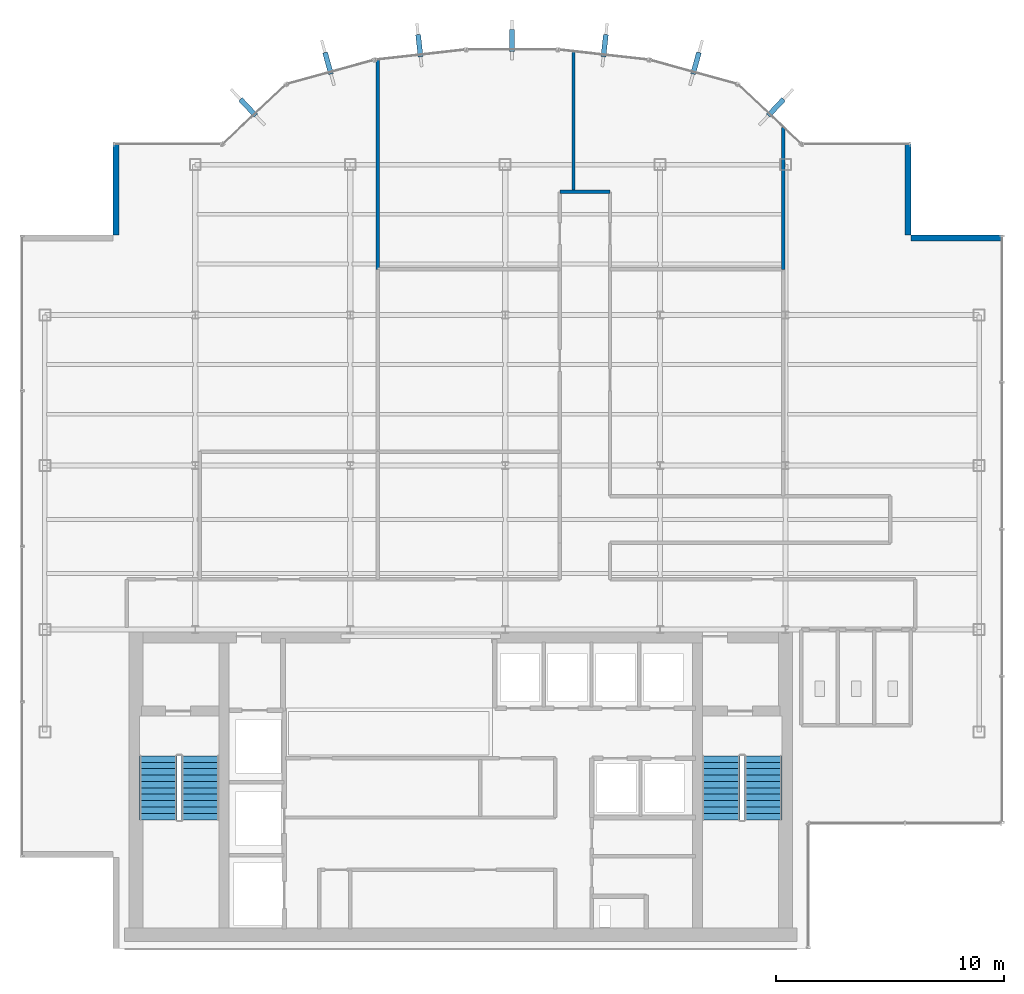
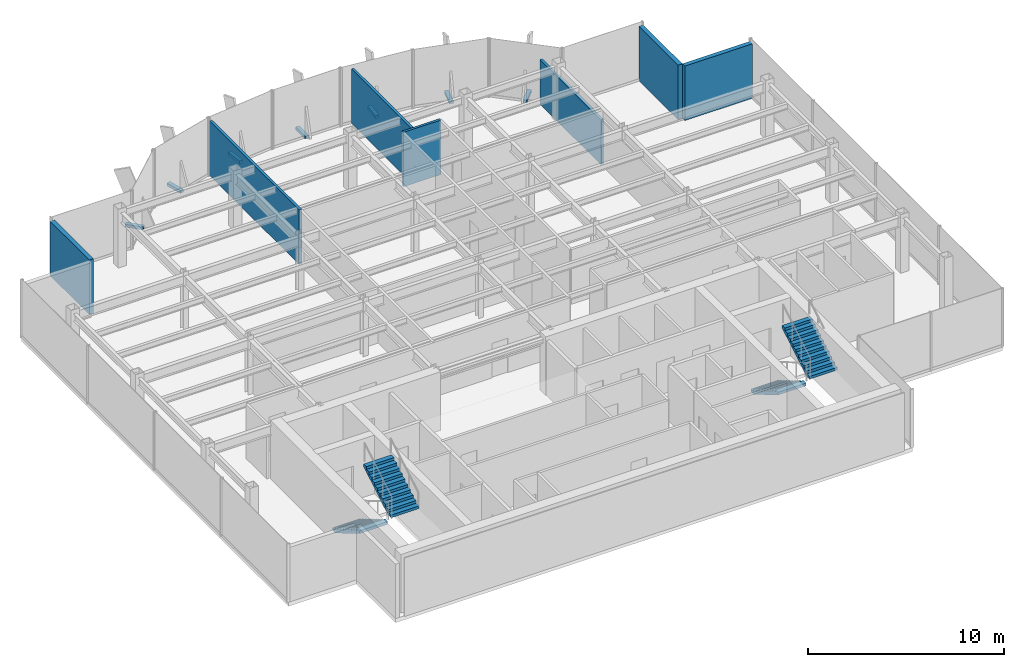
# One storey, part 19 of 22: 7 discrete accessories, 7 walls, 4 stair flights, 2 elements without a shape of their own.
"""IFC4 building model written with IfcOpenShell, lengths in metres."""

from ifc_helpers import new_model, si_unit, derived_unit, direction, frame, frame_2d, origin, origin_2d, place, context, subcontext, project, spatial, polyline, rectangle, outline, extrude, source, transform, mapped, material, layer, layer_set, type_object, element, aggregate, save


model = new_model("IFC4")

# Units and contexts
model_context = context("Model", 3, precision=1e-05, world=origin(), true_north=direction((0.0, 1.0)))
body_context = subcontext(model_context, "Body", "Model", "MODEL_VIEW")
ifc_project = project(units=[si_unit("LENGTHUNIT", "METRE"), si_unit("AREAUNIT", "SQUARE_METRE"), si_unit("VOLUMEUNIT", "CUBIC_METRE"), si_unit("PLANEANGLEUNIT", "RADIAN"), si_unit("MASSUNIT", "GRAM", prefix="KILO"), derived_unit("THERMALTRANSMITTANCEUNIT", [(si_unit("POWERUNIT", "WATT"), 1), (si_unit("LENGTHUNIT", "METRE"), -2), (si_unit("THERMODYNAMICTEMPERATUREUNIT", "KELVIN"), -1)])], contexts=[model_context])

# Site, building, storey
site_placement = place(None, origin())
site = spatial("IfcSite", under=ifc_project, at=site_placement, CompositionType="ELEMENT")
building_placement = place(site_placement, origin())
building = spatial("IfcBuilding", under=site, at=building_placement, Name="Skarnbrae Concourse Arena and Tower", CompositionType="ELEMENT")
storey_placement = place(building_placement, frame((0.0, 0.0, 195.89990234375)))
storey = spatial("IfcBuildingStorey", under=building, at=storey_placement, Name="L50", CompositionType="ELEMENT", Elevation=195.89990234375)

# Walls
ifc_material_1 = material(Name="Precast concrete 40 MPa (C40/50)", Category="concrete")
ifc_layer_1 = layer(ifc_material_1, 0.25)
ifc_layer_set_1 = layer_set([ifc_layer_1], Name="Precast concrete 40 MPa (C40/50)")
wall_type_1 = type_object("IfcWallType", Name="WALL-EXT-SPANDREL-250", PredefinedType="STANDARD", material=ifc_layer_set_1)
shared_shape_1 = source(origin(), body_context, "Body", "SweptSolid", [
    extrude(rectangle(XDim=4.0, YDim=0.25, at=frame_2d((2.0, 0.0))), origin(), (0.0, 0.0, 1.0), 3.400146484375),
])
for number, where, z_axis, x_axis, name in (
    (1, (43.0, 31.175048828125, 0.0), (0.0, 0.0, 1.0), (-1.0, 0.0, 0.0), "L50 Notched corner insulated return wall 05"),
    (2, (38.875, 31.300048828125, 0.0), (0.0, 0.0, 1.0), (0.0, 1.0, 0.0), "L50 Notched corner insulated return wall 06"),
    (3, (4.125, 35.300048828125, 0.0), (0.0, 0.0, 1.0), (0.0, -1.0, 0.0), "L50 Notched corner insulated return wall 16"),
):
    element("IfcWall", number, at=place(storey_placement, frame(where, z_axis=z_axis, x_axis=x_axis)), inside=storey, type_object=wall_type_1, Name=name, PredefinedType="STANDARD", context=body_context, shape_type="MappedRepresentation", body=[
        mapped(shared_shape_1, transform((0.0, 0.0, 0.0))),
    ])
ifc_material_2 = material(Name="Gypsum board on cold-formed steel studs", Category="steel")
ifc_layer_2 = layer(ifc_material_2, 0.14990234375)
ifc_layer_set_2 = layer_set([ifc_layer_2], Name="Gypsum board on cold-formed steel studs")
wall_type_2 = type_object("IfcWallType", Name="WALL-PART-150-1HR", PredefinedType="PARTITIONING", material=ifc_layer_set_2)
shared_shape_2 = source(origin(), body_context, "Body", "SweptSolid", [
    extrude(rectangle(XDim=2.199951171875, YDim=0.14990234375, at=frame_2d((1.10009765625, 0.0))), origin(), (0.0, 0.0, 1.0), 3.400146484375),
])
wall_1_placement = place(storey_placement, frame((23.60009765625, 33.199951171875, 0.0), z_axis=(0.0, 0.0, 1.0), x_axis=(1.0, 0.0, 0.0)))
element("IfcWall", 4, at=wall_1_placement, inside=storey, type_object=wall_type_2, Name="L50 Interior partition wall W-L50-COR-06", PredefinedType="PARTITIONING", context=body_context, shape_type="MappedRepresentation", body=[
    mapped(shared_shape_2, transform((0.0, 0.0, 0.0))),
])
ifc_layer_3 = layer(ifc_material_2, 0.14990234375)
ifc_layer_set_3 = layer_set([ifc_layer_3], Name="Gypsum board on cold-formed steel studs")
wall_type_3 = type_object("IfcWallType", Name="WALL-PART-150", PredefinedType="PARTITIONING", material=ifc_layer_set_3)
shared_shape_3 = source(origin(), body_context, "Body", "SweptSolid", [
    extrude(rectangle(XDim=9.191162109375, YDim=0.14990234375, at=frame_2d((4.595703125, 0.0))), origin(), (0.0, 0.0, 1.0), 3.400146484375),
])
wall_2_placement = place(storey_placement, frame((15.60009765625, 38.9912109375, 0.0), z_axis=(0.0, 0.0, 1.0), x_axis=(0.0, -1.0, 0.0)))
element("IfcWall", 5, at=wall_2_placement, inside=storey, type_object=wall_type_3, Name="L50 Interior partition wall W-L50-DEM-21", PredefinedType="PARTITIONING", context=body_context, shape_type="MappedRepresentation", body=[
    mapped(shared_shape_3, transform((0.0, 0.0, 0.0))),
])
shared_shape_4 = source(origin(), body_context, "Body", "SweptSolid", [
    extrude(rectangle(XDim=6.150146484375, YDim=0.14990234375, at=frame_2d((3.0751953125, 0.0))), origin(), (0.0, 0.0, 1.0), 3.400146484375),
])
wall_3_placement = place(storey_placement, frame((24.199951171875, 39.35009765625, 0.0), z_axis=(0.0, 0.0, 1.0), x_axis=(0.0, -1.0, 0.0)))
element("IfcWall", 6, at=wall_3_placement, inside=storey, type_object=wall_type_3, Name="L50 Interior partition wall W-L50-DEM-22", PredefinedType="PARTITIONING", context=body_context, shape_type="MappedRepresentation", body=[
    mapped(shared_shape_4, transform((0.0, 0.0, 0.0))),
])
shared_shape_5 = source(origin(), body_context, "Body", "SweptSolid", [
    extrude(rectangle(XDim=6.2255859375, YDim=0.14990234375, at=frame_2d((3.11279296875, 0.0))), origin(), (0.0, 0.0, 1.0), 2.787109375),
])
wall_4_placement = place(storey_placement, frame((33.39990234375, 36.025634765625, 0.0), z_axis=(0.0, 0.0, 1.0), x_axis=(0.0, -1.0, 0.0)))
element("IfcWall", 7, at=wall_4_placement, inside=storey, type_object=wall_type_3, Name="L50 Interior partition wall W-L50-DEM-26", PredefinedType="PARTITIONING", context=body_context, shape_type="MappedRepresentation", body=[
    mapped(shared_shape_5, transform((0.0, 0.0, 0.0))),
])

# Stair, stair flights
ifc_material_3 = material(Name="Concrete 40 MPa (C40/50)", Category="concrete")
stair_type = type_object("IfcStairType", Name="STAIR-DOGLEG-1650", PredefinedType="HALF_TURN_STAIR", material=ifc_material_3)
stair_1_placement = place(storey_placement, origin())
stair_1 = element("IfcStair", 8, at=stair_1_placement, inside=storey, type_object=stair_type, Name="L50 Protected Exit Stair ST-1", PredefinedType="HALF_TURN_STAIR")
stair_flight_type = type_object("IfcStairFlightType", Name="FLIGHT-STRAIGHT-1650", PredefinedType="STRAIGHT", material=ifc_material_3)
shared_shape_6 = source(origin(), body_context, "Body", "SweptSolid", [
    extrude(outline(polyline([(0.0, 0.0), (0.0, 0.166015625), (0.280029296875, 0.166015625), (0.280029296875, 0.331787109375), (0.56005859375, 0.331787109375), (0.56005859375, 0.497802734375), (0.840087890625, 0.497802734375), (0.840087890625, 0.66357421875), (1.1201171875, 0.66357421875), (1.1201171875, 0.82958984375), (1.39990234375, 0.82958984375), (1.39990234375, 0.995361328125), (1.679931640625, 0.995361328125), (1.679931640625, 1.161376953125), (1.9599609375, 1.161376953125), (1.9599609375, 1.327392578125), (2.239990234375, 1.327392578125), (2.239990234375, 1.4931640625), (2.52001953125, 1.4931640625), (2.52001953125, 1.6591796875), (2.800048828125, 1.6591796875), (2.800048828125, 1.824951171875), (2.800048828125, 1.48486328125), (0.2939453125, 0.0), (0.0, 0.0)])), frame((0.0, 0.824951171875, 0.0), z_axis=(0.0, -1.0, 0.0), x_axis=(1.0, 0.0, 0.0)), (0.0, 0.0, 1.0), 1.64990234375),
])
stair_flight_1_placement = place(storey_placement, frame((5.97509765625, 8.449951171875, 0.0), z_axis=(0.0, 0.0, 1.0), x_axis=(0.0, -1.0, 0.0)))
stair_flight_1 = element("IfcStairFlight", 9, at=stair_flight_1_placement, type_object=stair_flight_type, Name="ST-1 flight 1", NumberOfRisers=11, NumberOfTreads=10, PredefinedType="STRAIGHT", RiserHeight=0.165909091, TreadLength=0.28, context=body_context, shape_type="MappedRepresentation", body=[
    mapped(shared_shape_6, transform((0.0, 0.0, 0.0))),
])
stair_flight_2_placement = place(storey_placement, frame((7.824951171875, 5.64990234375, 1.8251953125), z_axis=(0.0, 0.0, 1.0), x_axis=(0.0, 1.0, 0.0)))
stair_flight_2 = element("IfcStairFlight", 10, at=stair_flight_2_placement, type_object=stair_flight_type, Name="ST-1 flight 2", NumberOfRisers=11, NumberOfTreads=10, PredefinedType="STRAIGHT", RiserHeight=0.165909091, TreadLength=0.28, context=body_context, shape_type="MappedRepresentation", body=[
    mapped(shared_shape_6, transform((0.0, 0.0, 0.0))),
])
aggregate(stair_1, [stair_flight_1, stair_flight_2])

stair_2_placement = place(storey_placement, origin())
stair_2 = element("IfcStair", 11, at=stair_2_placement, inside=storey, type_object=stair_type, Name="L50 Protected Exit Stair ST-2", PredefinedType="HALF_TURN_STAIR")
stair_flight_3_placement = place(storey_placement, frame((30.675048828125, 8.449951171875, 0.0), z_axis=(0.0, 0.0, 1.0), x_axis=(0.0, -1.0, 0.0)))
stair_flight_3 = element("IfcStairFlight", 12, at=stair_flight_3_placement, type_object=stair_flight_type, Name="ST-2 flight 1", NumberOfRisers=11, NumberOfTreads=10, PredefinedType="STRAIGHT", RiserHeight=0.165909091, TreadLength=0.28, context=body_context, shape_type="MappedRepresentation", body=[
    mapped(shared_shape_6, transform((0.0, 0.0, 0.0))),
])
stair_flight_4_placement = place(storey_placement, frame((32.52490234375, 5.64990234375, 1.8251953125), z_axis=(0.0, 0.0, 1.0), x_axis=(0.0, 1.0, 0.0)))
stair_flight_4 = element("IfcStairFlight", 13, at=stair_flight_4_placement, type_object=stair_flight_type, Name="ST-2 flight 2", NumberOfRisers=11, NumberOfTreads=10, PredefinedType="STRAIGHT", RiserHeight=0.165909091, TreadLength=0.28, context=body_context, shape_type="MappedRepresentation", body=[
    mapped(shared_shape_6, transform((0.0, 0.0, 0.0))),
])
aggregate(stair_2, [stair_flight_3, stair_flight_4])

# Discrete accessories
ifc_material_4 = material(Name="Bronze anodised aluminium 6063-T6", Category="aluminium")
discrete_accessory_type = type_object("IfcDiscreteAccessoryType", Name="ACC-FIN-BRACKET", PredefinedType="BRACKET", material=ifc_material_4)
shared_shape_7 = source(origin(), body_context, "Body", "SweptSolid", [
    extrude(rectangle(XDim=0.219970703125, YDim=0.97998046875, at=origin_2d()), origin(), (0.0, 0.0, 1.0), 0.179931640625),
])
for number, where, z_axis, x_axis, name in (
    (14, (33.0791015625, 36.904541015625, -0.02978515625), (0.0, 0.0, 1.0), (0.728131751529, -0.685437198009, 0.0), "L50 Bronze fin foot support bracket 08"),
    (15, (29.573974609375, 38.847412109375, -0.02978515625), (0.0, 0.0, 1.0), (0.964058316208, -0.265690728011, 0.0), "L50 Bronze fin foot support bracket 09"),
    (16, (25.566162109375, 39.619384765625, -0.02978515625), (0.0, 0.0, 1.0), (0.993769864509, -0.111451587667, 0.0), "L50 Bronze fin foot support bracket 10"),
    (17, (21.5, 39.8466796875, -0.02978515625), (0.0, 0.0, 1.0), (1.0, 0.0, 0.0), "L50 Bronze fin foot support bracket 11"),
    (18, (17.433837890625, 39.619384765625, -0.02978515625), (0.0, 0.0, 1.0), (0.993769864509, 0.111451587667, 0.0), "L50 Bronze fin foot support bracket 12"),
    (19, (13.426025390625, 38.847412109375, -0.02978515625), (0.0, 0.0, 1.0), (0.964058316208, 0.265690728011, 0.0), "L50 Bronze fin foot support bracket 13"),
    (20, (9.9208984375, 36.904541015625, -0.02978515625), (0.0, 0.0, 1.0), (0.728131751529, 0.685437198009, 0.0), "L50 Bronze fin foot support bracket 14"),
):
    element("IfcDiscreteAccessory", number, at=place(storey_placement, frame(where, z_axis=z_axis, x_axis=x_axis)), inside=storey, type_object=discrete_accessory_type, Name=name, PredefinedType="BRACKET", context=body_context, shape_type="MappedRepresentation", body=[
        mapped(shared_shape_7, transform((0.0, 0.0, 0.0))),
    ])

save(model, "model.ifc")
